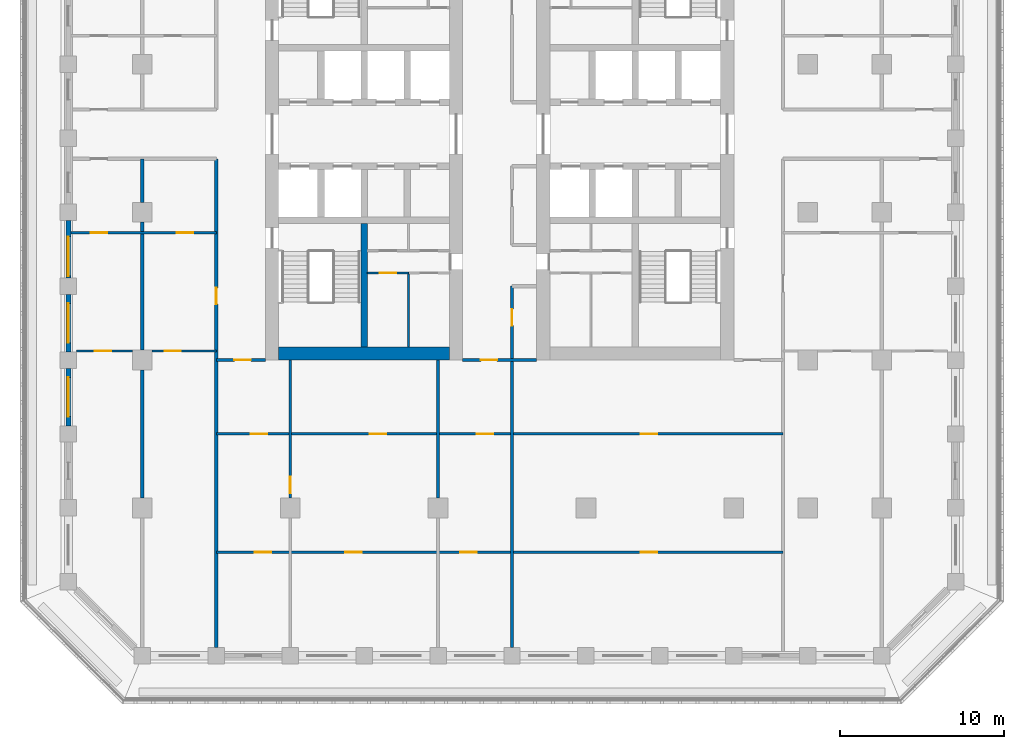
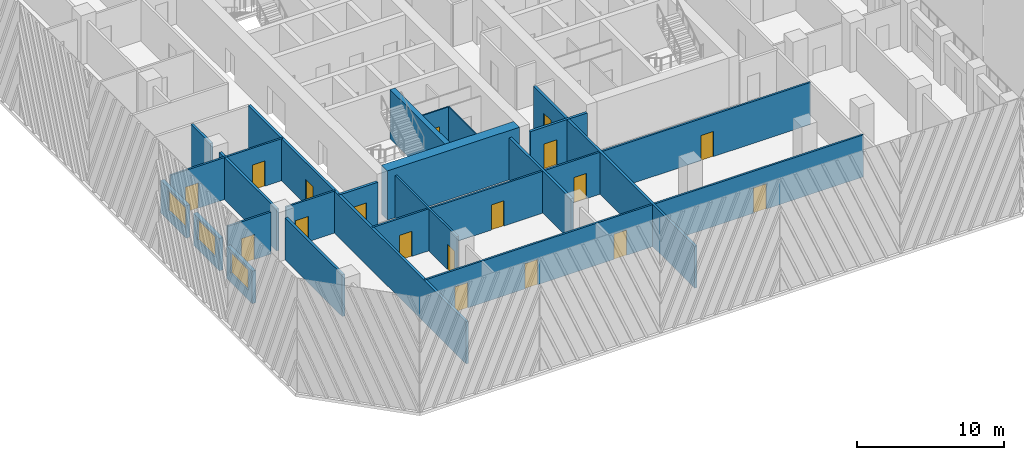
# One storey, part 3 of 17: 21 walls, 18 doors, 3 windows, 21 openings.
"""IFC4 building model written with IfcOpenShell, lengths in metres."""

from ifc_helpers import new_model, si_unit, direction, frame, frame_2d, origin, place, context, subcontext, project, spatial, rectangle, extrude, material, layer, layer_set, type_object, element, fill, save


model = new_model("IFC4")

# Units and contexts
model_context = context("Model", 3, precision=1e-05, world=origin(), true_north=direction((0.0, 1.0)))
body_context = subcontext(model_context, "Body", "Model", "MODEL_VIEW")
ifc_project = project(units=[si_unit("LENGTHUNIT", "METRE"), si_unit("AREAUNIT", "SQUARE_METRE"), si_unit("VOLUMEUNIT", "CUBIC_METRE"), si_unit("PLANEANGLEUNIT", "RADIAN"), si_unit("MASSUNIT", "GRAM", prefix="KILO")], contexts=[model_context])

# Site, building, storey
site_placement = place(None, origin())
site = spatial("IfcSite", under=ifc_project, at=site_placement, CompositionType="ELEMENT")
building_placement = place(site_placement, origin())
building = spatial("IfcBuilding", under=site, at=building_placement, Name="Corbel Stack Research Tower", CompositionType="ELEMENT")
storey_placement = place(building_placement, frame((0.0, 0.0, 216.10009765625)))
storey = spatial("IfcBuildingStorey", under=building, at=storey_placement, Name="L49", CompositionType="ELEMENT", Elevation=216.10009765625)

# Walls
ifc_material_1 = material(Name="Concrete C60/75", Category="concrete")
ifc_layer_1 = layer(ifc_material_1, 0.39990234375)
ifc_layer_set_1 = layer_set([ifc_layer_1], Name="Concrete C60/75")
wall_type_1 = type_object("IfcWallType", Name="CW-400-60", PredefinedType="SHEAR", material=ifc_layer_set_1)
wall_1_placement = place(storey_placement, frame((-4.5, -8.199951171875, 0.0), z_axis=(0.0, 0.0, 1.0), x_axis=(0.0, 1.0, 0.0)))
element("IfcWall", 1, at=wall_1_placement, inside=storey, type_object=wall_type_1, Name="West core wall, south stair and WC L49", PredefinedType="SHEAR", context=body_context, shape_type="SweptSolid", body=[
    extrude(rectangle(XDim=7.5, YDim=0.39990234375, at=frame_2d((3.75, 0.0))), origin(), (0.0, 0.0, 1.0), 4.099853515625),
])
ifc_material_2 = material(Name="Concrete C60/75", Category="concrete")
ifc_layer_2 = layer(ifc_material_2, 0.800048828125)
ifc_layer_set_2 = layer_set([ifc_layer_2], Name="Concrete C60/75")
wall_type_2 = type_object("IfcWallType", Name="CW-800-60", PredefinedType="SHEAR", material=ifc_layer_set_2)
wall_2_placement = place(storey_placement, frame((-9.699951171875, -8.60009765625, 0.0), z_axis=(0.0, 0.0, 1.0), x_axis=(1.0, 0.0, 0.0)))
element("IfcWall", 2, at=wall_2_placement, inside=storey, type_object=wall_type_2, Name="West core wall, south end L49", PredefinedType="SHEAR", context=body_context, shape_type="SweptSolid", body=[
    extrude(rectangle(XDim=10.39990234375, YDim=0.800048828125, at=frame_2d((5.199951171875, 0.0))), origin(), (0.0, 0.0, 1.0), 4.099853515625),
])

# Wall, opening, door
ifc_material_3 = material(Name="Gypsum board")
ifc_layer_3 = layer(ifc_material_3, 0.10009765625)
ifc_layer_set_3 = layer_set([ifc_layer_3], Name="Gypsum board")
wall_type_3 = type_object("IfcWallType", Name="Core partition 100", PredefinedType="PARTITIONING", material=ifc_layer_set_3)
wall_3_placement = place(storey_placement, frame((-4.300048828125, -3.699951171875, 0.0), z_axis=(0.0, 0.0, 1.0), x_axis=(1.0, 0.0, 0.0)))
wall_3 = element("IfcWall", 3, at=wall_3_placement, inside=storey, type_object=wall_type_3, Name="Core partition W", PredefinedType="PARTITIONING", context=body_context, shape_type="SweptSolid", body=[
    extrude(rectangle(XDim=2.5, YDim=0.10009765625, at=frame_2d((1.25, 0.0))), origin(), (0.0, 0.0, 1.0), 3.5),
])
opening_1_placement = place(wall_3_placement, frame((0.75, 0.0, 0.0)))
opening_1 = element("IfcOpeningElement", 4, at=opening_1_placement, cuts=wall_3, Name="Opening CR-W54-W3-1000", PredefinedType="OPENING", context=body_context, shape_type="SweptSolid", body=[
    extrude(rectangle(XDim=1.0, YDim=2.10009765625, at=frame_2d((0.5, 1.050048828125))), frame((0.0, 0.06005859375, 0.0), z_axis=(0.0, -1.0, 0.0), x_axis=(1.0, 0.0, 0.0)), (0.0, 0.0, 1.0), 0.1201171875),
])
ifc_material_4 = material(Name="Painted timber door", Category="wood")
door_type_1 = type_object("IfcDoorType", Name="WC door 1000 x 2100 left hand", OperationType="SINGLE_SWING_LEFT", PredefinedType="DOOR", material=ifc_material_4)
door_1_placement = place(opening_1_placement, origin())
door_1 = element("IfcDoor", 5, at=door_1_placement, inside=storey, type_object=door_type_1, Name="Men's WC door W core", OperationType="SINGLE_SWING_LEFT", OverallHeight=2.10009765625, OverallWidth=1.0, PredefinedType="DOOR", context=body_context, shape_type="SweptSolid", body=[
    extrude(rectangle(XDim=1.0, YDim=2.10009765625, at=frame_2d((0.5, 1.050048828125))), frame((0.0, 0.02490234375, 0.0), z_axis=(0.0, -1.0, 0.0), x_axis=(1.0, 0.0, 0.0)), (0.0, 0.0, 1.0), 0.050048828125),
])
fill(opening_1, door_1)

# Wall
wall_4_placement = place(storey_placement, frame((-1.800048828125, -8.199951171875, 0.0), z_axis=(0.0, 0.0, 1.0), x_axis=(0.0, 1.0, 0.0)))
element("IfcWall", 6, at=wall_4_placement, inside=storey, type_object=wall_type_3, Name="Core partition W", PredefinedType="PARTITIONING", context=body_context, shape_type="SweptSolid", body=[
    extrude(rectangle(XDim=4.5, YDim=0.10009765625, at=frame_2d((2.25, 0.0))), origin(), (0.0, 0.0, 1.0), 3.5),
])

# Wall, opening, door
ifc_material_5 = material(Name="Fire-rated gypsum board partition on steel studs", Category="steel")
ifc_layer_4 = layer(ifc_material_5, 0.14990234375)
ifc_layer_set_4 = layer_set([ifc_layer_4], Name="Fire-rated gypsum board partition on steel studs")
wall_type_4 = type_object("IfcWallType", Name="Fire-rated partition 150 EI 60", PredefinedType="PARTITIONING", material=ifc_layer_set_4)
wall_5_placement = place(storey_placement, frame((-9.0, -9.0, 0.0), z_axis=(0.0, 0.0, 1.0), x_axis=(0.0, -1.0, 0.0)))
wall_5 = element("IfcWall", 7, at=wall_5_placement, inside=storey, type_object=wall_type_4, Name="Partition L49-011", PredefinedType="PARTITIONING", context=body_context, shape_type="SweptSolid", body=[
    extrude(rectangle(XDim=8.39990234375, YDim=0.14990234375, at=frame_2d((4.199951171875, 0.0))), origin(), (0.0, 0.0, 1.0), 3.5),
])
opening_2_placement = place(wall_5_placement, frame((7.10009765625, 0.0, 0.0)))
opening_2 = element("IfcOpeningElement", 8, at=opening_2_placement, cuts=wall_5, Name="Opening B6V2-011", PredefinedType="OPENING", context=body_context, shape_type="SweptSolid", body=[
    extrude(rectangle(XDim=1.0, YDim=2.10009765625, at=frame_2d((0.5, 1.050048828125))), frame((0.0, 0.0849609375, 0.0), z_axis=(0.0, -1.0, 0.0), x_axis=(1.0, 0.0, 0.0)), (0.0, 0.0, 1.0), 0.169921875),
])
ifc_material_6 = material(Name="Painted steel fire door", Category="steel")
door_type_2 = type_object("IfcDoorType", Name="Fire door FD30S 1000 x 2100", OperationType="NOTDEFINED", PredefinedType="DOOR", material=ifc_material_6)
door_2_placement = place(opening_2_placement, origin())
door_2 = element("IfcDoor", 9, at=door_2_placement, inside=storey, type_object=door_type_2, Name="Door B6V2-011", OperationType="SINGLE_SWING_RIGHT", OverallHeight=2.10009765625, OverallWidth=1.0, PredefinedType="DOOR", context=body_context, shape_type="SweptSolid", body=[
    extrude(rectangle(XDim=1.0, YDim=2.10009765625, at=frame_2d((0.5, 1.050048828125))), frame((0.0, 0.02490234375, 0.0), z_axis=(0.0, -1.0, 0.0), x_axis=(1.0, 0.0, 0.0)), (0.0, 0.0, 1.0), 0.050048828125),
])
fill(opening_2, door_2)

# Walls
ifc_material_7 = material(Name="Fire-rated gypsum board partition on steel studs", Category="steel")
ifc_layer_5 = layer(ifc_material_7, 0.199951171875)
ifc_layer_set_5 = layer_set([ifc_layer_5], Name="Fire-rated gypsum board partition on steel studs")
wall_type_5 = type_object("IfcWallType", Name="Fire-rated partition 200 EI 60", PredefinedType="PARTITIONING", material=ifc_layer_set_5)
for number, where, z_axis, x_axis, name in (
    (10, (-18.0, -17.39990234375, 0.0), (0.0, 0.0, 1.0), (0.0, 1.0, 0.0), "Partition L49-002"),
    (11, (-18.0, -8.39990234375, 0.0), (0.0, 0.0, 1.0), (0.0, 1.0, 0.0), "Partition L49-003"),
):
    element("IfcWall", number, at=place(storey_placement, frame(where, z_axis=z_axis, x_axis=x_axis)), inside=storey, type_object=wall_type_5, Name=name, PredefinedType="PARTITIONING", context=body_context, shape_type="SweptSolid", body=[
        extrude(rectangle(XDim=7.7998046875, YDim=0.199951171875, at=frame_2d((3.89990234375, 0.0))), origin(), (0.0, 0.0, 1.0), 3.5),
    ])
wall_6_placement = place(storey_placement, frame((-18.0, 0.60009765625, 0.0), z_axis=(0.0, 0.0, 1.0), x_axis=(0.0, 1.0, 0.0)))
element("IfcWall", 12, at=wall_6_placement, inside=storey, type_object=wall_type_5, Name="Partition L49-004", PredefinedType="PARTITIONING", context=body_context, shape_type="SweptSolid", body=[
    extrude(rectangle(XDim=2.64990234375, YDim=0.199951171875, at=frame_2d((1.324951171875, 0.0))), origin(), (0.0, 0.0, 1.0), 3.5),
])

# Wall, opening, door
wall_7_placement = place(storey_placement, frame((-13.5, -26.5, 0.0), z_axis=(0.0, 0.0, 1.0), x_axis=(0.0, 1.0, 0.0)))
wall_7 = element("IfcWall", 13, at=wall_7_placement, inside=storey, type_object=wall_type_5, Name="Partition L49-008", PredefinedType="PARTITIONING", context=body_context, shape_type="SweptSolid", body=[
    extrude(rectangle(XDim=29.75, YDim=0.199951171875, at=frame_2d((14.875, 0.0))), origin(), (0.0, 0.0, 1.0), 3.5),
])
opening_3_placement = place(wall_7_placement, frame((20.89990234375, 0.0, 0.0)))
opening_3 = element("IfcOpeningElement", 14, at=opening_3_placement, cuts=wall_7, Name="Opening B6V2-006", PredefinedType="OPENING", context=body_context, shape_type="SweptSolid", body=[
    extrude(rectangle(XDim=1.0, YDim=2.10009765625, at=frame_2d((0.5, 1.050048828125))), frame((0.0, 0.10986328125, 0.0), z_axis=(0.0, -1.0, 0.0), x_axis=(1.0, 0.0, 0.0)), (0.0, 0.0, 1.0), 0.219970703125),
])
door_3_placement = place(opening_3_placement, origin())
door_3 = element("IfcDoor", 15, at=door_3_placement, inside=storey, type_object=door_type_2, Name="Door B6V2-006", OperationType="SINGLE_SWING_RIGHT", OverallHeight=2.10009765625, OverallWidth=1.0, PredefinedType="DOOR", context=body_context, shape_type="SweptSolid", body=[
    extrude(rectangle(XDim=1.0, YDim=2.10009765625, at=frame_2d((0.5, 1.050048828125))), frame((0.0, 0.02490234375, 0.0), z_axis=(0.0, -1.0, 0.0), x_axis=(1.0, 0.0, 0.0)), (0.0, 0.0, 1.0), 0.050048828125),
])
fill(opening_3, door_3)

# Wall
wall_8_placement = place(storey_placement, frame((0.0, -17.39990234375, 0.0), z_axis=(0.0, 0.0, 1.0), x_axis=(0.0, 1.0, 0.0)))
element("IfcWall", 16, at=wall_8_placement, inside=storey, type_object=wall_type_5, Name="Partition L49-015", PredefinedType="PARTITIONING", context=body_context, shape_type="SweptSolid", body=[
    extrude(rectangle(XDim=8.39990234375, YDim=0.199951171875, at=frame_2d((4.199951171875, 0.0))), origin(), (0.0, 0.0, 1.0), 3.5),
])

# Wall, opening, door
wall_9_placement = place(storey_placement, frame((4.5, -4.5, 0.0), z_axis=(0.0, 0.0, 1.0), x_axis=(0.0, -1.0, 0.0)))
wall_9 = element("IfcWall", 17, at=wall_9_placement, inside=storey, type_object=wall_type_5, Name="Partition L49-018", PredefinedType="PARTITIONING", context=body_context, shape_type="SweptSolid", body=[
    extrude(rectangle(XDim=22.0, YDim=0.199951171875, at=frame_2d((11.0, 0.0))), origin(), (0.0, 0.0, 1.0), 3.5),
])
opening_4_placement = place(wall_9_placement, frame((1.39990234375, 0.0, 0.0)))
opening_4 = element("IfcOpeningElement", 18, at=opening_4_placement, cuts=wall_9, Name="Opening B6V2-026", PredefinedType="OPENING", context=body_context, shape_type="SweptSolid", body=[
    extrude(rectangle(XDim=1.0, YDim=2.10009765625, at=frame_2d((0.5, 1.050048828125))), frame((0.0, 0.10986328125, 0.0), z_axis=(0.0, -1.0, 0.0), x_axis=(1.0, 0.0, 0.0)), (0.0, 0.0, 1.0), 0.219970703125),
])
door_4_placement = place(opening_4_placement, origin())
door_4 = element("IfcDoor", 19, at=door_4_placement, inside=storey, type_object=door_type_2, Name="Door B6V2-026", OperationType="SINGLE_SWING_LEFT", OverallHeight=2.10009765625, OverallWidth=1.0, PredefinedType="DOOR", context=body_context, shape_type="SweptSolid", body=[
    extrude(rectangle(XDim=1.0, YDim=2.10009765625, at=frame_2d((0.5, 1.050048828125))), frame((0.0, 0.02490234375, 0.0), z_axis=(0.0, -1.0, 0.0), x_axis=(1.0, 0.0, 0.0)), (0.0, 0.0, 1.0), 0.050048828125),
])
fill(opening_4, door_4)

wall_10_placement = place(storey_placement, frame((-10.5, -9.0, 0.0), z_axis=(0.0, 0.0, 1.0), x_axis=(-1.0, 0.0, 0.0)))
wall_10 = element("IfcWall", 20, at=wall_10_placement, inside=storey, type_object=wall_type_5, Name="Partition L49-032", PredefinedType="PARTITIONING", context=body_context, shape_type="SweptSolid", body=[
    extrude(rectangle(XDim=3.0, YDim=0.199951171875, at=frame_2d((1.5, 0.0))), origin(), (0.0, 0.0, 1.0), 3.5),
])
opening_5_placement = place(wall_10_placement, frame((0.89990234375, 0.0, 0.0)))
opening_5 = element("IfcOpeningElement", 21, at=opening_5_placement, cuts=wall_10, Name="Opening B6V2-012", PredefinedType="OPENING", context=body_context, shape_type="SweptSolid", body=[
    extrude(rectangle(XDim=1.0, YDim=2.10009765625, at=frame_2d((0.5, 1.050048828125))), frame((0.0, 0.10986328125, 0.0), z_axis=(0.0, -1.0, 0.0), x_axis=(1.0, 0.0, 0.0)), (0.0, 0.0, 1.0), 0.219970703125),
])
door_5_placement = place(opening_5_placement, origin())
door_5 = element("IfcDoor", 22, at=door_5_placement, inside=storey, type_object=door_type_2, Name="Door B6V2-012", OperationType="SINGLE_SWING_LEFT", OverallHeight=2.10009765625, OverallWidth=1.0, PredefinedType="DOOR", context=body_context, shape_type="SweptSolid", body=[
    extrude(rectangle(XDim=1.0, YDim=2.10009765625, at=frame_2d((0.5, 1.050048828125))), frame((0.0, 0.02490234375, 0.0), z_axis=(0.0, -1.0, 0.0), x_axis=(1.0, 0.0, 0.0)), (0.0, 0.0, 1.0), 0.050048828125),
])
fill(opening_5, door_5)

wall_11_placement = place(storey_placement, frame((6.0, -9.0, 0.0), z_axis=(0.0, 0.0, 1.0), x_axis=(-1.0, 0.0, 0.0)))
wall_11 = element("IfcWall", 23, at=wall_11_placement, inside=storey, type_object=wall_type_5, Name="Partition L49-033", PredefinedType="PARTITIONING", context=body_context, shape_type="SweptSolid", body=[
    extrude(rectangle(XDim=4.5, YDim=0.199951171875, at=frame_2d((2.25, 0.0))), origin(), (0.0, 0.0, 1.0), 3.5),
])
opening_6_placement = place(wall_11_placement, frame((2.39990234375, 0.0, 0.0)))
opening_6 = element("IfcOpeningElement", 24, at=opening_6_placement, cuts=wall_11, Name="Opening B6V2-013", PredefinedType="OPENING", context=body_context, shape_type="SweptSolid", body=[
    extrude(rectangle(XDim=1.0, YDim=2.10009765625, at=frame_2d((0.5, 1.050048828125))), frame((0.0, 0.10986328125, 0.0), z_axis=(0.0, -1.0, 0.0), x_axis=(1.0, 0.0, 0.0)), (0.0, 0.0, 1.0), 0.219970703125),
])
door_6_placement = place(opening_6_placement, origin())
door_6 = element("IfcDoor", 25, at=door_6_placement, inside=storey, type_object=door_type_2, Name="Door B6V2-013", OperationType="SINGLE_SWING_RIGHT", OverallHeight=2.10009765625, OverallWidth=1.0, PredefinedType="DOOR", context=body_context, shape_type="SweptSolid", body=[
    extrude(rectangle(XDim=1.0, YDim=2.10009765625, at=frame_2d((0.5, 1.050048828125))), frame((0.0, 0.02490234375, 0.0), z_axis=(0.0, -1.0, 0.0), x_axis=(1.0, 0.0, 0.0)), (0.0, 0.0, 1.0), 0.050048828125),
])
fill(opening_6, door_6)

# Wall, openings, doors
ifc_material_8 = material(Name="Gypsum board partition on steel studs", Category="steel")
ifc_layer_6 = layer(ifc_material_8, 0.14990234375)
ifc_layer_set_6 = layer_set([ifc_layer_6], Name="Gypsum board partition on steel studs")
wall_type_6 = type_object("IfcWallType", Name="Partition 150", PredefinedType="PARTITIONING", material=ifc_layer_set_6)
wall_12_placement = place(storey_placement, frame((21.0, -20.699951171875, 0.0), z_axis=(0.0, 0.0, 1.0), x_axis=(-1.0, 0.0, 0.0)))
wall_12 = element("IfcWall", 26, at=wall_12_placement, inside=storey, type_object=wall_type_6, Name="Partition L49-030", PredefinedType="PARTITIONING", context=body_context, shape_type="SweptSolid", body=[
    extrude(rectangle(XDim=34.5, YDim=0.14990234375, at=frame_2d((17.25, 0.0))), origin(), (0.0, 0.0, 1.0), 3.5),
])
opening_7_placement = place(wall_12_placement, frame((31.14990234375, 0.0, 0.0)))
opening_7 = element("IfcOpeningElement", 27, at=opening_7_placement, cuts=wall_12, Name="Opening B6V2-001", PredefinedType="OPENING", context=body_context, shape_type="SweptSolid", body=[
    extrude(rectangle(XDim=1.0, YDim=2.10009765625, at=frame_2d((0.5, 1.050048828125))), frame((0.0, 0.0849609375, 0.0), z_axis=(0.0, -1.0, 0.0), x_axis=(1.0, 0.0, 0.0)), (0.0, 0.0, 1.0), 0.169921875),
])
opening_8_placement = place(wall_12_placement, frame((25.64990234375, 0.0, 0.0)))
opening_8 = element("IfcOpeningElement", 28, at=opening_8_placement, cuts=wall_12, Name="Opening B6V2-002", PredefinedType="OPENING", context=body_context, shape_type="SweptSolid", body=[
    extrude(rectangle(XDim=1.0, YDim=2.10009765625, at=frame_2d((0.5, 1.050048828125))), frame((0.0, 0.0849609375, 0.0), z_axis=(0.0, -1.0, 0.0), x_axis=(1.0, 0.0, 0.0)), (0.0, 0.0, 1.0), 0.169921875),
])
opening_9_placement = place(wall_12_placement, frame((18.64990234375, 0.0, 0.0)))
opening_9 = element("IfcOpeningElement", 29, at=opening_9_placement, cuts=wall_12, Name="Opening B6V2-003", PredefinedType="OPENING", context=body_context, shape_type="SweptSolid", body=[
    extrude(rectangle(XDim=1.0, YDim=2.10009765625, at=frame_2d((0.5, 1.050048828125))), frame((0.0, 0.0849609375, 0.0), z_axis=(0.0, -1.0, 0.0), x_axis=(1.0, 0.0, 0.0)), (0.0, 0.0, 1.0), 0.169921875),
])
opening_10_placement = place(wall_12_placement, frame((7.64990234375, 0.0, 0.0)))
opening_10 = element("IfcOpeningElement", 30, at=opening_10_placement, cuts=wall_12, Name="Opening B6V2-004", PredefinedType="OPENING", context=body_context, shape_type="SweptSolid", body=[
    extrude(rectangle(XDim=1.0, YDim=2.10009765625, at=frame_2d((0.5, 1.050048828125))), frame((0.0, 0.0849609375, 0.0), z_axis=(0.0, -1.0, 0.0), x_axis=(1.0, 0.0, 0.0)), (0.0, 0.0, 1.0), 0.169921875),
])
ifc_material_9 = material(Name="Painted timber door", Category="wood")
door_type_3 = type_object("IfcDoorType", Name="Single door 1000 x 2100", OperationType="NOTDEFINED", PredefinedType="DOOR", material=ifc_material_9)
door_7_placement = place(opening_7_placement, origin())
door_7 = element("IfcDoor", 31, at=door_7_placement, inside=storey, type_object=door_type_3, Name="Door B6V2-001", OperationType="SINGLE_SWING_RIGHT", OverallHeight=2.10009765625, OverallWidth=1.0, PredefinedType="DOOR", context=body_context, shape_type="SweptSolid", body=[
    extrude(rectangle(XDim=1.0, YDim=2.10009765625, at=frame_2d((0.5, 1.050048828125))), frame((0.0, 0.02490234375, 0.0), z_axis=(0.0, -1.0, 0.0), x_axis=(1.0, 0.0, 0.0)), (0.0, 0.0, 1.0), 0.050048828125),
])
fill(opening_7, door_7)
door_8_placement = place(opening_8_placement, origin())
door_8 = element("IfcDoor", 32, at=door_8_placement, inside=storey, type_object=door_type_3, Name="Door B6V2-002", OperationType="SINGLE_SWING_RIGHT", OverallHeight=2.10009765625, OverallWidth=1.0, PredefinedType="DOOR", context=body_context, shape_type="SweptSolid", body=[
    extrude(rectangle(XDim=1.0, YDim=2.10009765625, at=frame_2d((0.5, 1.050048828125))), frame((0.0, 0.02490234375, 0.0), z_axis=(0.0, -1.0, 0.0), x_axis=(1.0, 0.0, 0.0)), (0.0, 0.0, 1.0), 0.050048828125),
])
fill(opening_8, door_8)
door_9_placement = place(opening_9_placement, origin())
door_9 = element("IfcDoor", 33, at=door_9_placement, inside=storey, type_object=door_type_3, Name="Door B6V2-003", OperationType="SINGLE_SWING_RIGHT", OverallHeight=2.10009765625, OverallWidth=1.0, PredefinedType="DOOR", context=body_context, shape_type="SweptSolid", body=[
    extrude(rectangle(XDim=1.0, YDim=2.10009765625, at=frame_2d((0.5, 1.050048828125))), frame((0.0, 0.02490234375, 0.0), z_axis=(0.0, -1.0, 0.0), x_axis=(1.0, 0.0, 0.0)), (0.0, 0.0, 1.0), 0.050048828125),
])
fill(opening_9, door_9)
door_10_placement = place(opening_10_placement, origin())
door_10 = element("IfcDoor", 34, at=door_10_placement, inside=storey, type_object=door_type_3, Name="Door B6V2-004", OperationType="SINGLE_SWING_LEFT", OverallHeight=2.10009765625, OverallWidth=1.0, PredefinedType="DOOR", context=body_context, shape_type="SweptSolid", body=[
    extrude(rectangle(XDim=1.0, YDim=2.10009765625, at=frame_2d((0.5, 1.050048828125))), frame((0.0, 0.02490234375, 0.0), z_axis=(0.0, -1.0, 0.0), x_axis=(1.0, 0.0, 0.0)), (0.0, 0.0, 1.0), 0.050048828125),
])
fill(opening_10, door_10)

wall_13_placement = place(storey_placement, frame((21.0, -13.5, 0.0), z_axis=(0.0, 0.0, 1.0), x_axis=(-1.0, 0.0, 0.0)))
wall_13 = element("IfcWall", 35, at=wall_13_placement, inside=storey, type_object=wall_type_6, Name="Partition L49-031", PredefinedType="PARTITIONING", context=body_context, shape_type="SweptSolid", body=[
    extrude(rectangle(XDim=34.5, YDim=0.14990234375, at=frame_2d((17.25, 0.0))), origin(), (0.0, 0.0, 1.0), 3.5),
])
opening_11_placement = place(wall_13_placement, frame((31.39990234375, 0.0, 0.0)))
opening_11 = element("IfcOpeningElement", 36, at=opening_11_placement, cuts=wall_13, Name="Opening B6V2-005", PredefinedType="OPENING", context=body_context, shape_type="SweptSolid", body=[
    extrude(rectangle(XDim=1.0, YDim=2.10009765625, at=frame_2d((0.5, 1.050048828125))), frame((0.0, 0.0849609375, 0.0), z_axis=(0.0, -1.0, 0.0), x_axis=(1.0, 0.0, 0.0)), (0.0, 0.0, 1.0), 0.169921875),
])
opening_12_placement = place(wall_13_placement, frame((24.14990234375, 0.0, 0.0)))
opening_12 = element("IfcOpeningElement", 37, at=opening_12_placement, cuts=wall_13, Name="Opening B6V2-007", PredefinedType="OPENING", context=body_context, shape_type="SweptSolid", body=[
    extrude(rectangle(XDim=1.0, YDim=2.10009765625, at=frame_2d((0.5, 1.050048828125))), frame((0.0, 0.0849609375, 0.0), z_axis=(0.0, -1.0, 0.0), x_axis=(1.0, 0.0, 0.0)), (0.0, 0.0, 1.0), 0.169921875),
])
opening_13_placement = place(wall_13_placement, frame((17.64990234375, 0.0, 0.0)))
opening_13 = element("IfcOpeningElement", 38, at=opening_13_placement, cuts=wall_13, Name="Opening B6V2-008", PredefinedType="OPENING", context=body_context, shape_type="SweptSolid", body=[
    extrude(rectangle(XDim=1.0, YDim=2.10009765625, at=frame_2d((0.5, 1.050048828125))), frame((0.0, 0.0849609375, 0.0), z_axis=(0.0, -1.0, 0.0), x_axis=(1.0, 0.0, 0.0)), (0.0, 0.0, 1.0), 0.169921875),
])
opening_14_placement = place(wall_13_placement, frame((7.64990234375, 0.0, 0.0)))
opening_14 = element("IfcOpeningElement", 39, at=opening_14_placement, cuts=wall_13, Name="Opening B6V2-009", PredefinedType="OPENING", context=body_context, shape_type="SweptSolid", body=[
    extrude(rectangle(XDim=1.0, YDim=2.10009765625, at=frame_2d((0.5, 1.050048828125))), frame((0.0, 0.0849609375, 0.0), z_axis=(0.0, -1.0, 0.0), x_axis=(1.0, 0.0, 0.0)), (0.0, 0.0, 1.0), 0.169921875),
])
door_11_placement = place(opening_11_placement, origin())
door_11 = element("IfcDoor", 40, at=door_11_placement, inside=storey, type_object=door_type_3, Name="Door B6V2-005", OperationType="SINGLE_SWING_RIGHT", OverallHeight=2.10009765625, OverallWidth=1.0, PredefinedType="DOOR", context=body_context, shape_type="SweptSolid", body=[
    extrude(rectangle(XDim=1.0, YDim=2.10009765625, at=frame_2d((0.5, 1.050048828125))), frame((0.0, 0.02490234375, 0.0), z_axis=(0.0, -1.0, 0.0), x_axis=(1.0, 0.0, 0.0)), (0.0, 0.0, 1.0), 0.050048828125),
])
fill(opening_11, door_11)
door_12_placement = place(opening_12_placement, origin())
door_12 = element("IfcDoor", 41, at=door_12_placement, inside=storey, type_object=door_type_3, Name="Door B6V2-007", OperationType="SINGLE_SWING_RIGHT", OverallHeight=2.10009765625, OverallWidth=1.0, PredefinedType="DOOR", context=body_context, shape_type="SweptSolid", body=[
    extrude(rectangle(XDim=1.0, YDim=2.10009765625, at=frame_2d((0.5, 1.050048828125))), frame((0.0, 0.02490234375, 0.0), z_axis=(0.0, -1.0, 0.0), x_axis=(1.0, 0.0, 0.0)), (0.0, 0.0, 1.0), 0.050048828125),
])
fill(opening_12, door_12)
door_13_placement = place(opening_13_placement, origin())
door_13 = element("IfcDoor", 42, at=door_13_placement, inside=storey, type_object=door_type_3, Name="Door B6V2-008", OperationType="SINGLE_SWING_RIGHT", OverallHeight=2.10009765625, OverallWidth=1.0, PredefinedType="DOOR", context=body_context, shape_type="SweptSolid", body=[
    extrude(rectangle(XDim=1.0, YDim=2.10009765625, at=frame_2d((0.5, 1.050048828125))), frame((0.0, 0.02490234375, 0.0), z_axis=(0.0, -1.0, 0.0), x_axis=(1.0, 0.0, 0.0)), (0.0, 0.0, 1.0), 0.050048828125),
])
fill(opening_13, door_13)
door_14_placement = place(opening_14_placement, origin())
door_14 = element("IfcDoor", 43, at=door_14_placement, inside=storey, type_object=door_type_3, Name="Door B6V2-009", OperationType="SINGLE_SWING_LEFT", OverallHeight=2.10009765625, OverallWidth=1.0, PredefinedType="DOOR", context=body_context, shape_type="SweptSolid", body=[
    extrude(rectangle(XDim=1.0, YDim=2.10009765625, at=frame_2d((0.5, 1.050048828125))), frame((0.0, 0.02490234375, 0.0), z_axis=(0.0, -1.0, 0.0), x_axis=(1.0, 0.0, 0.0)), (0.0, 0.0, 1.0), 0.050048828125),
])
fill(opening_14, door_14)

# Wall, opening, door
wall_14_placement = place(storey_placement, frame((-18.60009765625, -8.449951171875, 0.0), z_axis=(0.0, 0.0, 1.0), x_axis=(-1.0, 0.0, 0.0)))
wall_14 = element("IfcWall", 44, at=wall_14_placement, inside=storey, type_object=wall_type_6, Name="Partition L49-035", PredefinedType="PARTITIONING", context=body_context, shape_type="SweptSolid", body=[
    extrude(rectangle(XDim=3.39990234375, YDim=0.14990234375, at=frame_2d((1.699951171875, 0.0))), origin(), (0.0, 0.0, 1.0), 3.5),
])
opening_15_placement = place(wall_14_placement, frame((1.300048828125, 0.0, 0.0)))
opening_15 = element("IfcOpeningElement", 45, at=opening_15_placement, cuts=wall_14, Name="Opening B6V2-016", PredefinedType="OPENING", context=body_context, shape_type="SweptSolid", body=[
    extrude(rectangle(XDim=1.0, YDim=2.10009765625, at=frame_2d((0.5, 1.050048828125))), frame((0.0, 0.0849609375, 0.0), z_axis=(0.0, -1.0, 0.0), x_axis=(1.0, 0.0, 0.0)), (0.0, 0.0, 1.0), 0.169921875),
])
door_15_placement = place(opening_15_placement, origin())
door_15 = element("IfcDoor", 46, at=door_15_placement, inside=storey, type_object=door_type_3, Name="Door B6V2-016", OperationType="SINGLE_SWING_RIGHT", OverallHeight=2.10009765625, OverallWidth=1.0, PredefinedType="DOOR", context=body_context, shape_type="SweptSolid", body=[
    extrude(rectangle(XDim=1.0, YDim=2.10009765625, at=frame_2d((0.5, 1.050048828125))), frame((0.0, 0.02490234375, 0.0), z_axis=(0.0, -1.0, 0.0), x_axis=(1.0, 0.0, 0.0)), (0.0, 0.0, 1.0), 0.050048828125),
])
fill(opening_15, door_15)

wall_15_placement = place(storey_placement, frame((-13.5, -8.449951171875, 0.0), z_axis=(0.0, 0.0, 1.0), x_axis=(-1.0, 0.0, 0.0)))
wall_15 = element("IfcWall", 47, at=wall_15_placement, inside=storey, type_object=wall_type_6, Name="Partition L49-036", PredefinedType="PARTITIONING", context=body_context, shape_type="SweptSolid", body=[
    extrude(rectangle(XDim=3.89990234375, YDim=0.14990234375, at=frame_2d((1.949951171875, 0.0))), origin(), (0.0, 0.0, 1.0), 3.5),
])
opening_16_placement = place(wall_15_placement, frame((2.14990234375, 0.0, 0.0)))
opening_16 = element("IfcOpeningElement", 48, at=opening_16_placement, cuts=wall_15, Name="Opening B6V2-017", PredefinedType="OPENING", context=body_context, shape_type="SweptSolid", body=[
    extrude(rectangle(XDim=1.0, YDim=2.10009765625, at=frame_2d((0.5, 1.050048828125))), frame((0.0, 0.0849609375, 0.0), z_axis=(0.0, -1.0, 0.0), x_axis=(1.0, 0.0, 0.0)), (0.0, 0.0, 1.0), 0.169921875),
])
door_16_placement = place(opening_16_placement, origin())
door_16 = element("IfcDoor", 49, at=door_16_placement, inside=storey, type_object=door_type_3, Name="Door B6V2-017", OperationType="SINGLE_SWING_RIGHT", OverallHeight=2.10009765625, OverallWidth=1.0, PredefinedType="DOOR", context=body_context, shape_type="SweptSolid", body=[
    extrude(rectangle(XDim=1.0, YDim=2.10009765625, at=frame_2d((0.5, 1.050048828125))), frame((0.0, 0.02490234375, 0.0), z_axis=(0.0, -1.0, 0.0), x_axis=(1.0, 0.0, 0.0)), (0.0, 0.0, 1.0), 0.050048828125),
])
fill(opening_16, door_16)

# Wall, openings, doors
wall_16_placement = place(storey_placement, frame((-13.5, -1.25, 0.0), z_axis=(0.0, 0.0, 1.0), x_axis=(-1.0, 0.0, 0.0)))
wall_16 = element("IfcWall", 50, at=wall_16_placement, inside=storey, type_object=wall_type_6, Name="Partition L49-042", PredefinedType="PARTITIONING", context=body_context, shape_type="SweptSolid", body=[
    extrude(rectangle(XDim=8.85009765625, YDim=0.14990234375, at=frame_2d((4.425048828125, 0.0))), origin(), (0.0, 0.0, 1.0), 3.5),
])
opening_17_placement = place(wall_16_placement, frame((6.64990234375, 0.0, 0.0)))
opening_17 = element("IfcOpeningElement", 51, at=opening_17_placement, cuts=wall_16, Name="Opening B6V2-020", PredefinedType="OPENING", context=body_context, shape_type="SweptSolid", body=[
    extrude(rectangle(XDim=1.0, YDim=2.10009765625, at=frame_2d((0.5, 1.050048828125))), frame((0.0, 0.0849609375, 0.0), z_axis=(0.0, -1.0, 0.0), x_axis=(1.0, 0.0, 0.0)), (0.0, 0.0, 1.0), 0.169921875),
])
opening_18_placement = place(wall_16_placement, frame((1.39990234375, 0.0, 0.0)))
opening_18 = element("IfcOpeningElement", 52, at=opening_18_placement, cuts=wall_16, Name="Opening B6V2-021", PredefinedType="OPENING", context=body_context, shape_type="SweptSolid", body=[
    extrude(rectangle(XDim=1.0, YDim=2.10009765625, at=frame_2d((0.5, 1.050048828125))), frame((0.0, 0.0849609375, 0.0), z_axis=(0.0, -1.0, 0.0), x_axis=(1.0, 0.0, 0.0)), (0.0, 0.0, 1.0), 0.169921875),
])
door_17_placement = place(opening_17_placement, origin())
door_17 = element("IfcDoor", 53, at=door_17_placement, inside=storey, type_object=door_type_3, Name="Door B6V2-020", OperationType="SINGLE_SWING_RIGHT", OverallHeight=2.10009765625, OverallWidth=1.0, PredefinedType="DOOR", context=body_context, shape_type="SweptSolid", body=[
    extrude(rectangle(XDim=1.0, YDim=2.10009765625, at=frame_2d((0.5, 1.050048828125))), frame((0.0, 0.02490234375, 0.0), z_axis=(0.0, -1.0, 0.0), x_axis=(1.0, 0.0, 0.0)), (0.0, 0.0, 1.0), 0.050048828125),
])
fill(opening_17, door_17)
door_18_placement = place(opening_18_placement, origin())
door_18 = element("IfcDoor", 54, at=door_18_placement, inside=storey, type_object=door_type_3, Name="Door B6V2-021", OperationType="SINGLE_SWING_LEFT", OverallHeight=2.10009765625, OverallWidth=1.0, PredefinedType="DOOR", context=body_context, shape_type="SweptSolid", body=[
    extrude(rectangle(XDim=1.0, YDim=2.10009765625, at=frame_2d((0.5, 1.050048828125))), frame((0.0, 0.02490234375, 0.0), z_axis=(0.0, -1.0, 0.0), x_axis=(1.0, 0.0, 0.0)), (0.0, 0.0, 1.0), 0.050048828125),
])
fill(opening_18, door_18)

# Wall, opening, window
ifc_material_10 = material(Name="Concrete C45/55", Category="concrete")
ifc_layer_7 = layer(ifc_material_10, 0.300048828125)
ifc_layer_set_7 = layer_set([ifc_layer_7], Name="Concrete C45/55")
wall_type_7 = type_object("IfcWallType", Name="Terracotta-faced concrete wall 300", PredefinedType="SOLIDWALL", material=ifc_layer_set_7)
wall_17_placement = place(storey_placement, frame((-22.5, -4.0, 0.0), z_axis=(0.0, 0.0, 1.0), x_axis=(0.0, 1.0, 0.0)))
wall_17 = element("IfcWall", 55, at=wall_17_placement, inside=storey, type_object=wall_type_7, Name="Facade wall L49 W06", PredefinedType="SOLIDWALL", context=body_context, shape_type="SweptSolid", body=[
    extrude(rectangle(XDim=3.5, YDim=0.300048828125, at=frame_2d((1.75, 0.0))), origin(), (0.0, 0.0, 1.0), 2.699951171875),
])
opening_19_placement = place(wall_17_placement, frame((0.112548828125, 0.0, 0.800048828125)))
opening_19 = element("IfcOpeningElement", 56, at=opening_19_placement, cuts=wall_17, Name="Opening W1", PredefinedType="OPENING", context=body_context, shape_type="SweptSolid", body=[
    extrude(rectangle(XDim=2.39990234375, YDim=1.699951171875, at=frame_2d((1.199951171875, 0.85009765625))), frame((0.0, 0.159912109375, 0.0), z_axis=(0.0, -1.0, 0.0), x_axis=(1.0, 0.0, 0.0)), (0.0, 0.0, 1.0), 0.320068359375),
])
ifc_material_11 = material(Name="Aluminium frame, clear double glazing", Category="aluminium")
window_type = type_object("IfcWindowType", Name="Window W1 2400 x 1700", PartitioningType="SINGLE_PANEL", PredefinedType="WINDOW", material=ifc_material_11)
window_1_placement = place(opening_19_placement, origin())
window_1 = element("IfcWindow", 57, at=window_1_placement, inside=storey, type_object=window_type, Name="Window W1 L49 W06", OverallHeight=1.699951171875, OverallWidth=2.39990234375, PartitioningType="SINGLE_PANEL", PredefinedType="WINDOW", context=body_context, shape_type="SweptSolid", body=[
    extrude(rectangle(XDim=2.39990234375, YDim=1.699951171875, at=frame_2d((1.199951171875, 0.85009765625))), frame((0.0, 0.030029296875, 0.0), z_axis=(0.0, -1.0, 0.0), x_axis=(1.0, 0.0, 0.0)), (0.0, 0.0, 1.0), 0.06005859375),
])
fill(opening_19, window_1)

wall_18_placement = place(storey_placement, frame((-22.5, -8.5, 0.0), z_axis=(0.0, 0.0, 1.0), x_axis=(0.0, 1.0, 0.0)))
wall_18 = element("IfcWall", 58, at=wall_18_placement, inside=storey, type_object=wall_type_7, Name="Facade wall L49 W07", PredefinedType="SOLIDWALL", context=body_context, shape_type="SweptSolid", body=[
    extrude(rectangle(XDim=3.5, YDim=0.300048828125, at=frame_2d((1.75, 0.0))), origin(), (0.0, 0.0, 1.0), 2.699951171875),
])
opening_20_placement = place(wall_18_placement, frame((0.550048828125, 0.0, 0.800048828125)))
opening_20 = element("IfcOpeningElement", 59, at=opening_20_placement, cuts=wall_18, Name="Opening W1", PredefinedType="OPENING", context=body_context, shape_type="SweptSolid", body=[
    extrude(rectangle(XDim=2.39990234375, YDim=1.699951171875, at=frame_2d((1.199951171875, 0.85009765625))), frame((0.0, 0.159912109375, 0.0), z_axis=(0.0, -1.0, 0.0), x_axis=(1.0, 0.0, 0.0)), (0.0, 0.0, 1.0), 0.320068359375),
])
window_2_placement = place(opening_20_placement, origin())
window_2 = element("IfcWindow", 60, at=window_2_placement, inside=storey, type_object=window_type, Name="Window W1 L49 W07", OverallHeight=1.699951171875, OverallWidth=2.39990234375, PartitioningType="SINGLE_PANEL", PredefinedType="WINDOW", context=body_context, shape_type="SweptSolid", body=[
    extrude(rectangle(XDim=2.39990234375, YDim=1.699951171875, at=frame_2d((1.199951171875, 0.85009765625))), frame((0.0, 0.030029296875, 0.0), z_axis=(0.0, -1.0, 0.0), x_axis=(1.0, 0.0, 0.0)), (0.0, 0.0, 1.0), 0.06005859375),
])
fill(opening_20, window_2)

wall_19_placement = place(storey_placement, frame((-22.5, -13.0, 0.0), z_axis=(0.0, 0.0, 1.0), x_axis=(0.0, 1.0, 0.0)))
wall_19 = element("IfcWall", 61, at=wall_19_placement, inside=storey, type_object=wall_type_7, Name="Facade wall L49 W08", PredefinedType="SOLIDWALL", context=body_context, shape_type="SweptSolid", body=[
    extrude(rectangle(XDim=3.5, YDim=0.300048828125, at=frame_2d((1.75, 0.0))), origin(), (0.0, 0.0, 1.0), 2.699951171875),
])
opening_21_placement = place(wall_19_placement, frame((0.550048828125, 0.0, 0.800048828125)))
opening_21 = element("IfcOpeningElement", 62, at=opening_21_placement, cuts=wall_19, Name="Opening W1", PredefinedType="OPENING", context=body_context, shape_type="SweptSolid", body=[
    extrude(rectangle(XDim=2.39990234375, YDim=1.699951171875, at=frame_2d((1.199951171875, 0.85009765625))), frame((0.0, 0.159912109375, 0.0), z_axis=(0.0, -1.0, 0.0), x_axis=(1.0, 0.0, 0.0)), (0.0, 0.0, 1.0), 0.320068359375),
])
window_3_placement = place(opening_21_placement, origin())
window_3 = element("IfcWindow", 63, at=window_3_placement, inside=storey, type_object=window_type, Name="Window W1 L49 W08", OverallHeight=1.699951171875, OverallWidth=2.39990234375, PartitioningType="SINGLE_PANEL", PredefinedType="WINDOW", context=body_context, shape_type="SweptSolid", body=[
    extrude(rectangle(XDim=2.39990234375, YDim=1.699951171875, at=frame_2d((1.199951171875, 0.85009765625))), frame((0.0, 0.030029296875, 0.0), z_axis=(0.0, -1.0, 0.0), x_axis=(1.0, 0.0, 0.0)), (0.0, 0.0, 1.0), 0.06005859375),
])
fill(opening_21, window_3)

save(model, "model.ifc")
